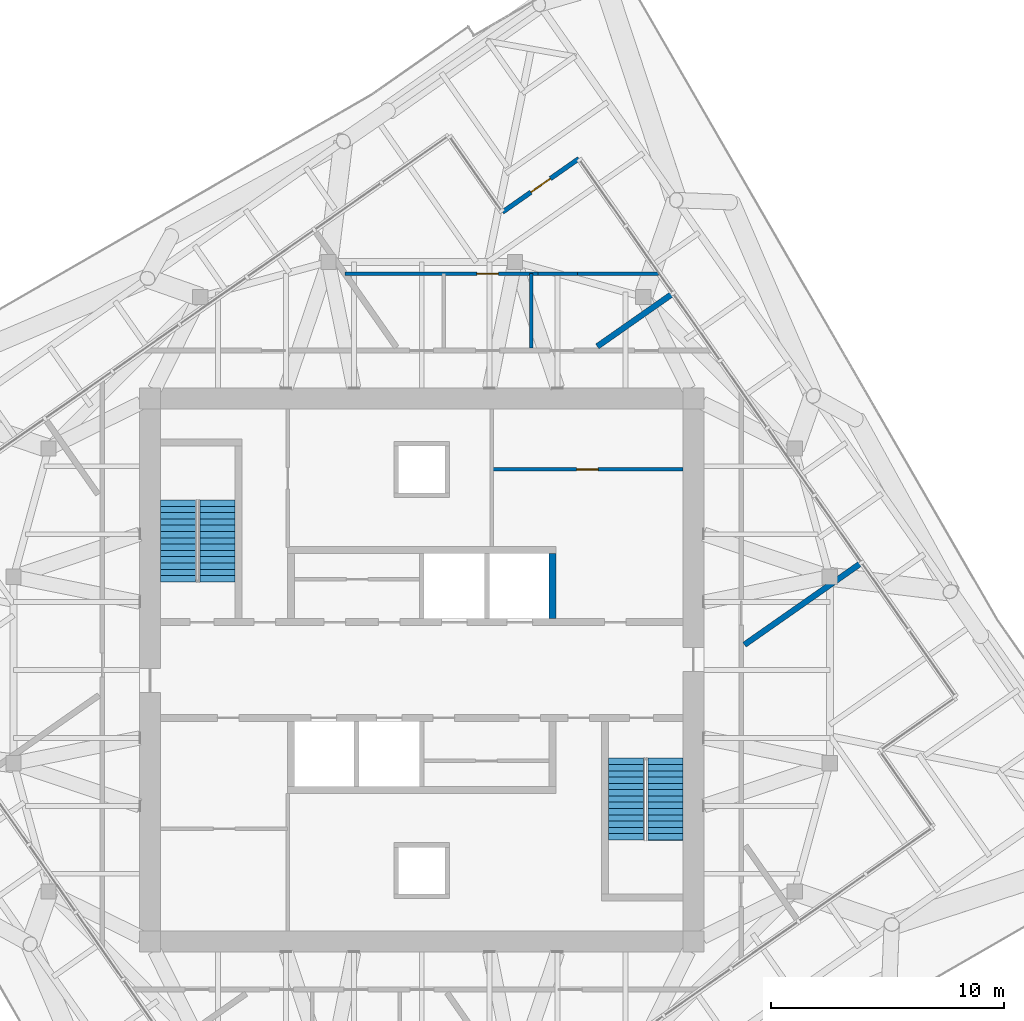
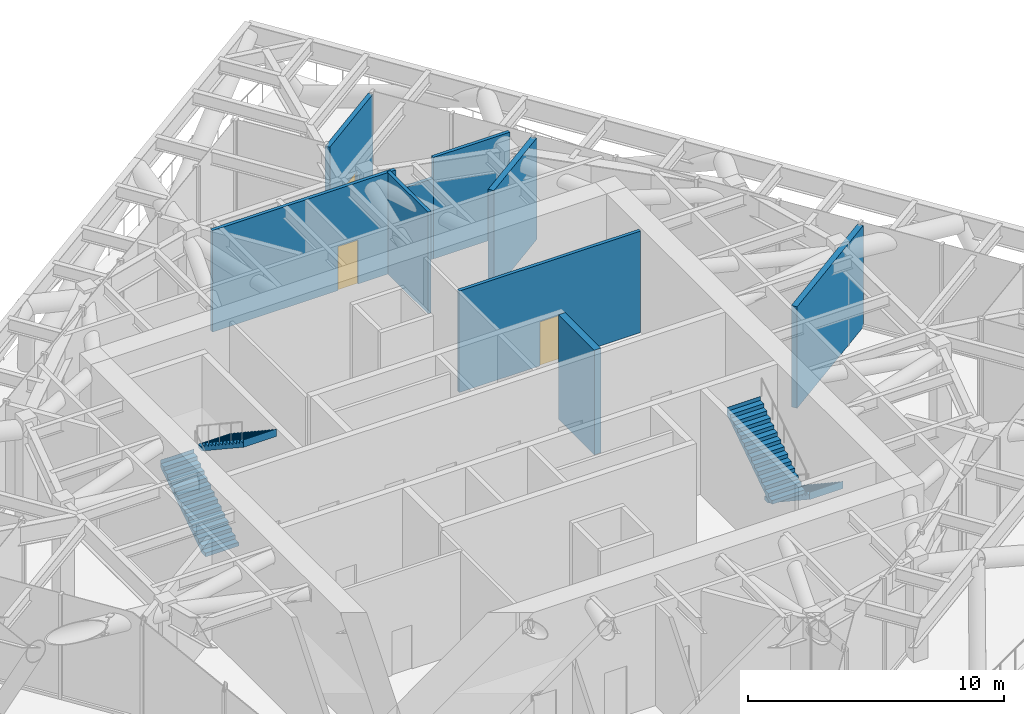
# One storey, part 10 of 16: 9 walls, 4 stair flights, 3 doors, 3 openings, 2 elements without a shape of their own.
"""IFC4 building model written with IfcOpenShell, lengths in metres."""

from ifc_helpers import new_model, si_unit, direction, frame, frame_2d, origin, place, context, subcontext, project, spatial, polyline, rectangle, outline, extrude, material, layer, layer_set, type_object, element, fill, aggregate, save


model = new_model("IFC4")

# Units and contexts
model_context = context("Model", 3, precision=1e-05, world=origin(), true_north=direction((0.0, 1.0)))
body_context = subcontext(model_context, "Body", "Model", "MODEL_VIEW")
ifc_project = project(units=[si_unit("LENGTHUNIT", "METRE"), si_unit("AREAUNIT", "SQUARE_METRE"), si_unit("VOLUMEUNIT", "CUBIC_METRE"), si_unit("PLANEANGLEUNIT", "RADIAN"), si_unit("MASSUNIT", "GRAM", prefix="KILO")], contexts=[model_context])

# Site, building, storey
site_placement = place(None, origin())
site = spatial("IfcSite", under=ifc_project, at=site_placement, CompositionType="ELEMENT")
building_placement = place(site_placement, origin())
building = spatial("IfcBuilding", under=site, at=building_placement, Name="Torsade Residences", CompositionType="ELEMENT")
storey_placement = place(building_placement, frame((0.0, 0.0, 235.39990234375)))
storey = spatial("IfcBuildingStorey", under=building, at=storey_placement, Name="L65", CompositionType="ELEMENT", Elevation=235.39990234375)

# Walls
ifc_material_1 = material(Name="Concrete 80 MPa", Category="concrete")
ifc_layer_1 = layer(ifc_material_1, 0.300048828125)
ifc_layer_set_1 = layer_set([ifc_layer_1], Name="Concrete 80 MPa")
wall_type_1 = type_object("IfcWallType", Name="CORE INTERNAL WALL 300", PredefinedType="SHEAR", material=ifc_layer_set_1)
wall_1_placement = place(storey_placement, frame((45.60009765625, 32.199951171875, 0.0), z_axis=(0.0, 0.0, 1.0), x_axis=(0.0, 1.0, 0.0)))
element("IfcWall", 1, at=wall_1_placement, inside=storey, type_object=wall_type_1, Name="Core wall DN4 L65", PredefinedType="SHEAR", context=body_context, shape_type="SweptSolid", body=[
    extrude(rectangle(XDim=2.800048828125, YDim=0.300048828125, at=frame_2d((1.39990234375, 0.0))), origin(), (0.0, 0.0, 1.0), 5.0),
])
ifc_material_2 = material(Name="Masonry-lined stud party wall", Category="masonry")
ifc_layer_2 = layer(ifc_material_2, 0.25)
ifc_layer_set_2 = layer_set([ifc_layer_2], Name="Masonry-lined stud party wall")
wall_type_2 = type_object("IfcWallType", Name="PARTY WALL 250", PredefinedType="PARTITIONING", material=ifc_layer_set_2)
wall_2_placement = place(storey_placement, frame((58.870361328125, 34.606689453125, 0.0), z_axis=(0.0, 0.0, 1.0), x_axis=(-0.819162822725, -0.573561042841, 0.0)))
element("IfcWall", 2, at=wall_2_placement, inside=storey, type_object=wall_type_2, Name="Party wall L65", PredefinedType="PARTITIONING", context=body_context, shape_type="SweptSolid", body=[
    extrude(rectangle(XDim=6.142333984375, YDim=0.25, at=frame_2d((3.0712890625, 0.0))), origin(), (0.0, 0.0, 1.0), 4.85009765625),
])
wall_3_placement = place(storey_placement, frame((50.782958984375, 46.15673828125, 0.0), z_axis=(0.0, 0.0, 1.0), x_axis=(-0.819156806092, -0.573569635732, 0.0)))
element("IfcWall", 3, at=wall_3_placement, inside=storey, type_object=wall_type_2, Name="Party wall L65", PredefinedType="PARTITIONING", context=body_context, shape_type="SweptSolid", body=[
    extrude(rectangle(XDim=3.970458984375, YDim=0.25, at=frame_2d((1.9853515625, 0.0))), origin(), (0.0, 0.0, 1.0), 4.85009765625),
])

# Wall, opening, door
ifc_material_3 = material(Name="Stone-faced precast concrete 40 MPa panel", Category="masonry")
ifc_layer_3 = layer(ifc_material_3, 0.199951171875)
ifc_layer_set_3 = layer_set([ifc_layer_3], Name="Stone-faced precast concrete 40 MPa panel")
wall_type_3 = type_object("IfcWallType", Name="PLANT ROOM EXTERNAL WALL 200", PredefinedType="SOLIDWALL", material=ifc_layer_set_3)
wall_4_placement = place(storey_placement, frame((46.7392578125, 51.931884765625, 0.0), z_axis=(0.0, 0.0, 1.0), x_axis=(-0.819137286189, -0.573597512525, 0.0)))
wall_4 = element("IfcWall", 4, at=wall_4_placement, inside=storey, type_object=wall_type_3, Name="Plant room wall L65 5", PredefinedType="SOLIDWALL", context=body_context, shape_type="SweptSolid", body=[
    extrude(rectangle(XDim=4.0, YDim=0.199951171875, at=frame_2d((2.0, 0.0))), origin(), (0.0, 0.0, 1.0), 4.85009765625),
])
opening_1_placement = place(wall_4_placement, frame((1.489990234375, 0.0, 0.0)))
opening_1 = element("IfcOpeningElement", 5, at=opening_1_placement, cuts=wall_4, Name="Opening D11", PredefinedType="OPENING", context=body_context, shape_type="SweptSolid", body=[
    extrude(rectangle(XDim=1.02001953125, YDim=2.10009765625, at=frame_2d((0.510009765625, 1.050048828125))), frame((0.0, 0.10986328125, 0.0), z_axis=(0.0, -1.0, 0.0), x_axis=(1.0, 0.0, 0.0)), (0.0, 0.0, 1.0), 0.219970703125),
])
ifc_material_4 = material(Name="Steel-framed external door", Category="steel")
door_type_1 = type_object("IfcDoorType", Name="MAINTENANCE ROOF DOOR 1020", OperationType="NOTDEFINED", PredefinedType="DOOR", material=ifc_material_4)
door_1_placement = place(opening_1_placement, origin())
door_1 = element("IfcDoor", 6, at=door_1_placement, inside=storey, type_object=door_type_1, Name="Maintenance roof door L65", OperationType="SINGLE_SWING_LEFT", OverallHeight=2.10009765625, OverallWidth=1.02001953125, PredefinedType="DOOR", context=body_context, shape_type="SweptSolid", body=[
    extrude(rectangle(XDim=1.02001953125, YDim=2.10009765625, at=frame_2d((0.510009765625, 1.050048828125))), frame((0.0, 0.02490234375, 0.0), z_axis=(0.0, -1.0, 0.0), x_axis=(1.0, 0.0, 0.0)), (0.0, 0.0, 1.0), 0.050048828125),
])
fill(opening_1, door_1)

ifc_material_5 = material(Name="Reinforced blockwork", Category="masonry")
ifc_layer_4 = layer(ifc_material_5, 0.14990234375)
ifc_layer_set_4 = layer_set([ifc_layer_4], Name="Reinforced blockwork")
wall_type_4 = type_object("IfcWallType", Name="SERVICE ROOM WALL 150", PredefinedType="SOLIDWALL", material=ifc_layer_set_4)
wall_5_placement = place(storey_placement, frame((43.0, 38.60009765625, 0.0), z_axis=(0.0, 0.0, 1.0), x_axis=(1.0, 0.0, 0.0)))
wall_5 = element("IfcWall", 7, at=wall_5_placement, inside=storey, type_object=wall_type_4, Name="Service room wall L65", PredefinedType="SOLIDWALL", context=body_context, shape_type="SweptSolid", body=[
    extrude(rectangle(XDim=8.199951171875, YDim=0.14990234375, at=frame_2d((4.10009765625, 0.0))), origin(), (0.0, 0.0, 1.0), 4.85009765625),
])
opening_2_placement = place(wall_5_placement, frame((3.639892578125, 0.0, 0.0)))
opening_2 = element("IfcOpeningElement", 8, at=opening_2_placement, cuts=wall_5, Name="Opening D06", PredefinedType="OPENING", context=body_context, shape_type="SweptSolid", body=[
    extrude(rectangle(XDim=0.919921875, YDim=2.10009765625, at=frame_2d((0.4599609375, 1.050048828125))), frame((0.0, 0.0849609375, 0.0), z_axis=(0.0, -1.0, 0.0), x_axis=(1.0, 0.0, 0.0)), (0.0, 0.0, 1.0), 0.169921875),
])
ifc_material_6 = material(Name="Steel-framed fire door", Category="steel")
door_type_2 = type_object("IfcDoorType", Name="FIRE DOOR 920", OperationType="NOTDEFINED", PredefinedType="DOOR", material=ifc_material_6)
door_2_placement = place(opening_2_placement, origin())
door_2 = element("IfcDoor", 9, at=door_2_placement, inside=storey, type_object=door_type_2, Name="Door Refuse room to Bulky waste store", OperationType="SINGLE_SWING_RIGHT", OverallHeight=2.10009765625, OverallWidth=0.919921875, PredefinedType="DOOR", context=body_context, shape_type="SweptSolid", body=[
    extrude(rectangle(XDim=0.919921875, YDim=2.10009765625, at=frame_2d((0.4599609375, 1.050048828125))), frame((0.0, 0.02490234375, 0.0), z_axis=(0.0, -1.0, 0.0), x_axis=(1.0, 0.0, 0.0)), (0.0, 0.0, 1.0), 0.050048828125),
])
fill(opening_2, door_2)

# Wall
wall_6_placement = place(storey_placement, frame((44.70361328125, 47.0, 0.0), z_axis=(0.0, 0.0, 1.0), x_axis=(0.0, -1.0, 0.0)))
element("IfcWall", 10, at=wall_6_placement, inside=storey, type_object=wall_type_4, Name="Service room wall L65", PredefinedType="SOLIDWALL", context=body_context, shape_type="SweptSolid", body=[
    extrude(rectangle(XDim=3.199951171875, YDim=0.14990234375, at=frame_2d((1.60009765625, 0.0))), origin(), (0.0, 0.0, 1.0), 4.85009765625),
])

# Wall, opening, door
wall_7_placement = place(storey_placement, frame((36.702880859375, 47.0, 0.0), z_axis=(0.0, 0.0, 1.0), x_axis=(1.0, 0.0, 0.0)))
wall_7 = element("IfcWall", 11, at=wall_7_placement, inside=storey, type_object=wall_type_4, Name="Service room wall L65", PredefinedType="SOLIDWALL", context=body_context, shape_type="SweptSolid", body=[
    extrude(rectangle(XDim=8.285400390625, YDim=0.14990234375, at=frame_2d((4.142578125, 0.0))), origin(), (0.0, 0.0, 1.0), 4.85009765625),
])
opening_3_placement = place(wall_7_placement, frame((5.661865234375, 0.0, 0.0)))
opening_3 = element("IfcOpeningElement", 12, at=opening_3_placement, cuts=wall_7, Name="Opening D06", PredefinedType="OPENING", context=body_context, shape_type="SweptSolid", body=[
    extrude(rectangle(XDim=0.919921875, YDim=2.10009765625, at=frame_2d((0.4599609375, 1.050048828125))), frame((0.0, 0.0849609375, 0.0), z_axis=(0.0, -1.0, 0.0), x_axis=(1.0, 0.0, 0.0)), (0.0, 0.0, 1.0), 0.169921875),
])
door_3_placement = place(opening_3_placement, origin())
door_3 = element("IfcDoor", 13, at=door_3_placement, inside=storey, type_object=door_type_2, Name="Door Service lobby to Mechanical plant room", OperationType="SINGLE_SWING_RIGHT", OverallHeight=2.10009765625, OverallWidth=0.919921875, PredefinedType="DOOR", context=body_context, shape_type="SweptSolid", body=[
    extrude(rectangle(XDim=0.919921875, YDim=2.10009765625, at=frame_2d((0.4599609375, 1.050048828125))), frame((0.0, 0.02490234375, 0.0), z_axis=(0.0, -1.0, 0.0), x_axis=(1.0, 0.0, 0.0)), (0.0, 0.0, 1.0), 0.050048828125),
])
fill(opening_3, door_3)

# Walls
wall_8_placement = place(storey_placement, frame((44.98828125, 47.0, 0.0), z_axis=(0.0, 0.0, 1.0), x_axis=(1.0, 0.0, 0.0)))
element("IfcWall", 14, at=wall_8_placement, inside=storey, type_object=wall_type_4, Name="Service room wall L65", PredefinedType="SOLIDWALL", context=body_context, shape_type="SweptSolid", body=[
    extrude(rectangle(XDim=1.690185546875, YDim=0.14990234375, at=frame_2d((0.84521484375, 0.0))), origin(), (0.0, 0.0, 1.0), 3.85009765625),
])
wall_9_placement = place(storey_placement, frame((46.678466796875, 47.0, 0.0), z_axis=(0.0, 0.0, 1.0), x_axis=(1.0, 0.0, 0.0)))
element("IfcWall", 15, at=wall_9_placement, inside=storey, type_object=wall_type_4, Name="Service room wall L65", PredefinedType="SOLIDWALL", context=body_context, shape_type="SweptSolid", body=[
    extrude(rectangle(XDim=3.465087890625, YDim=0.14990234375, at=frame_2d((1.732421875, 0.0))), origin(), (0.0, 0.0, 1.0), 4.85009765625),
])

# Stair, stair flights
ifc_material_7 = material(Name="Precast concrete 40 MPa", Category="concrete")
stair_type = type_object("IfcStairType", Name="HALF-TURN FIRE STAIR 1500x5000", PredefinedType="HALF_TURN_STAIR", material=ifc_material_7)
stair_1_placement = place(storey_placement, origin())
stair_1 = element("IfcStair", 16, at=stair_1_placement, inside=storey, type_object=stair_type, Name="Stair ST1 L65", PredefinedType="HALF_TURN_STAIR")
ifc_material_8 = material(Name="Precast concrete 40 MPa", Category="concrete")
stair_flight_type = type_object("IfcStairFlightType", Name="PRECAST STAIR FLIGHT 1500x2500", PredefinedType="STRAIGHT", material=ifc_material_8)
stair_flight_1_placement = place(storey_placement, frame((29.550048828125, 33.780029296875, 0.0), z_axis=(0.0, 0.0, 1.0), x_axis=(0.0, 1.0, 0.0)))
stair_flight_1 = element("IfcStairFlight", 17, at=stair_flight_1_placement, type_object=stair_flight_type, Name="ST1 flight 1", NumberOfRisers=14, NumberOfTreads=13, PredefinedType="STRAIGHT", RiserHeight=0.178571429, TreadLength=0.27, context=body_context, shape_type="SweptSolid", body=[
    extrude(outline(polyline([(0.0, 0.0), (0.0, 0.178466796875), (0.27001953125, 0.178466796875), (0.27001953125, 0.357177734375), (0.5400390625, 0.357177734375), (0.5400390625, 0.53564453125), (0.81005859375, 0.53564453125), (0.81005859375, 0.71435546875), (1.080078125, 0.71435546875), (1.080078125, 0.892822265625), (1.35009765625, 0.892822265625), (1.35009765625, 1.071533203125), (1.6201171875, 1.071533203125), (1.6201171875, 1.25), (1.889892578125, 1.25), (1.889892578125, 1.428466796875), (2.159912109375, 1.428466796875), (2.159912109375, 1.607177734375), (2.429931640625, 1.607177734375), (2.429931640625, 1.78564453125), (2.699951171875, 1.78564453125), (2.699951171875, 1.96435546875), (2.969970703125, 1.96435546875), (2.969970703125, 2.142822265625), (3.239990234375, 2.142822265625), (3.239990234375, 2.321533203125), (3.510009765625, 2.321533203125), (3.510009765625, 2.5), (3.52001953125, 2.5), (3.52001953125, 2.1416015625), (3.510009765625, 2.1416015625), (0.271728515625, 0.0), (0.0, 0.0)])), frame((0.0, 0.75, 0.0), z_axis=(0.0, -1.0, 0.0), x_axis=(1.0, 0.0, 0.0)), (0.0, 0.0, 1.0), 1.5),
])
stair_flight_2_placement = place(storey_placement, frame((31.25, 37.2900390625, 2.5), z_axis=(0.0, 0.0, 1.0), x_axis=(0.0, -1.0, 0.0)))
stair_flight_2 = element("IfcStairFlight", 18, at=stair_flight_2_placement, type_object=stair_flight_type, Name="ST1 flight 2", NumberOfRisers=14, NumberOfTreads=13, PredefinedType="STRAIGHT", RiserHeight=0.178571429, TreadLength=0.27, context=body_context, shape_type="SweptSolid", body=[
    extrude(outline(polyline([(0.0, 0.0), (0.0, 0.178466796875), (0.27001953125, 0.178466796875), (0.27001953125, 0.357177734375), (0.5400390625, 0.357177734375), (0.5400390625, 0.53564453125), (0.81005859375, 0.53564453125), (0.81005859375, 0.71435546875), (1.080078125, 0.71435546875), (1.080078125, 0.892822265625), (1.35009765625, 0.892822265625), (1.35009765625, 1.071533203125), (1.6201171875, 1.071533203125), (1.6201171875, 1.25), (1.889892578125, 1.25), (1.889892578125, 1.428466796875), (2.159912109375, 1.428466796875), (2.159912109375, 1.607177734375), (2.429931640625, 1.607177734375), (2.429931640625, 1.78564453125), (2.699951171875, 1.78564453125), (2.699951171875, 1.96435546875), (2.969970703125, 1.96435546875), (2.969970703125, 2.142822265625), (3.239990234375, 2.142822265625), (3.239990234375, 2.321533203125), (3.510009765625, 2.321533203125), (3.510009765625, 2.5), (3.52001953125, 2.5), (3.52001953125, 2.1416015625), (3.510009765625, 2.1416015625), (0.271728515625, 0.0), (0.0, 0.0)])), frame((0.0, 0.75, 0.0), z_axis=(0.0, -1.0, 0.0), x_axis=(1.0, 0.0, 0.0)), (0.0, 0.0, 1.0), 1.5),
])
aggregate(stair_1, [stair_flight_1, stair_flight_2])

stair_2_placement = place(storey_placement, origin())
stair_2 = element("IfcStair", 19, at=stair_2_placement, inside=storey, type_object=stair_type, Name="Stair ST2 L65", PredefinedType="HALF_TURN_STAIR")
stair_flight_3_placement = place(storey_placement, frame((50.449951171875, 26.219970703125, 0.0), z_axis=(0.0, 0.0, 1.0), x_axis=(0.0, -1.0, 0.0)))
stair_flight_3 = element("IfcStairFlight", 20, at=stair_flight_3_placement, type_object=stair_flight_type, Name="ST2 flight 1", NumberOfRisers=14, NumberOfTreads=13, PredefinedType="STRAIGHT", RiserHeight=0.178571429, TreadLength=0.27, context=body_context, shape_type="SweptSolid", body=[
    extrude(outline(polyline([(0.0, 0.0), (0.0, 0.178466796875), (0.27001953125, 0.178466796875), (0.27001953125, 0.357177734375), (0.5400390625, 0.357177734375), (0.5400390625, 0.53564453125), (0.81005859375, 0.53564453125), (0.81005859375, 0.71435546875), (1.080078125, 0.71435546875), (1.080078125, 0.892822265625), (1.35009765625, 0.892822265625), (1.35009765625, 1.071533203125), (1.6201171875, 1.071533203125), (1.6201171875, 1.25), (1.889892578125, 1.25), (1.889892578125, 1.428466796875), (2.159912109375, 1.428466796875), (2.159912109375, 1.607177734375), (2.429931640625, 1.607177734375), (2.429931640625, 1.78564453125), (2.699951171875, 1.78564453125), (2.699951171875, 1.96435546875), (2.969970703125, 1.96435546875), (2.969970703125, 2.142822265625), (3.239990234375, 2.142822265625), (3.239990234375, 2.321533203125), (3.510009765625, 2.321533203125), (3.510009765625, 2.5), (3.52001953125, 2.5), (3.52001953125, 2.1416015625), (3.510009765625, 2.1416015625), (0.271728515625, 0.0), (0.0, 0.0)])), frame((0.0, 0.75, 0.0), z_axis=(0.0, -1.0, 0.0), x_axis=(1.0, 0.0, 0.0)), (0.0, 0.0, 1.0), 1.5),
])
stair_flight_4_placement = place(storey_placement, frame((48.75, 22.7099609375, 2.5), z_axis=(0.0, 0.0, 1.0), x_axis=(0.0, 1.0, 0.0)))
stair_flight_4 = element("IfcStairFlight", 21, at=stair_flight_4_placement, type_object=stair_flight_type, Name="ST2 flight 2", NumberOfRisers=14, NumberOfTreads=13, PredefinedType="STRAIGHT", RiserHeight=0.178571429, TreadLength=0.27, context=body_context, shape_type="SweptSolid", body=[
    extrude(outline(polyline([(0.0, 0.0), (0.0, 0.178466796875), (0.27001953125, 0.178466796875), (0.27001953125, 0.357177734375), (0.5400390625, 0.357177734375), (0.5400390625, 0.53564453125), (0.81005859375, 0.53564453125), (0.81005859375, 0.71435546875), (1.080078125, 0.71435546875), (1.080078125, 0.892822265625), (1.35009765625, 0.892822265625), (1.35009765625, 1.071533203125), (1.6201171875, 1.071533203125), (1.6201171875, 1.25), (1.889892578125, 1.25), (1.889892578125, 1.428466796875), (2.159912109375, 1.428466796875), (2.159912109375, 1.607177734375), (2.429931640625, 1.607177734375), (2.429931640625, 1.78564453125), (2.699951171875, 1.78564453125), (2.699951171875, 1.96435546875), (2.969970703125, 1.96435546875), (2.969970703125, 2.142822265625), (3.239990234375, 2.142822265625), (3.239990234375, 2.321533203125), (3.510009765625, 2.321533203125), (3.510009765625, 2.5), (3.52001953125, 2.5), (3.52001953125, 2.1416015625), (3.510009765625, 2.1416015625), (0.271728515625, 0.0), (0.0, 0.0)])), frame((0.0, 0.75, 0.0), z_axis=(0.0, -1.0, 0.0), x_axis=(1.0, 0.0, 0.0)), (0.0, 0.0, 1.0), 1.5),
])
aggregate(stair_2, [stair_flight_3, stair_flight_4])

save(model, "model.ifc")
